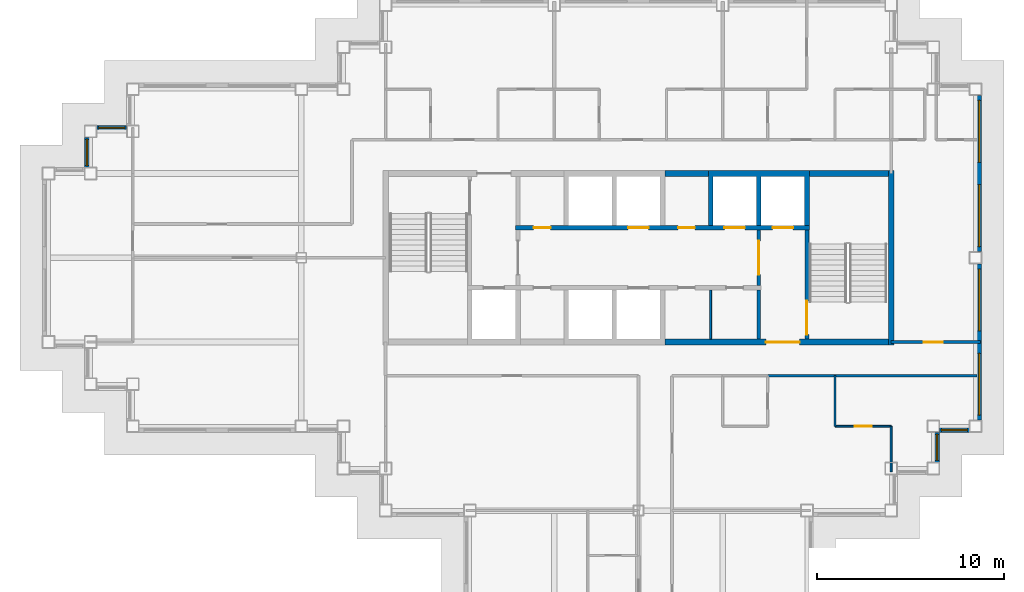
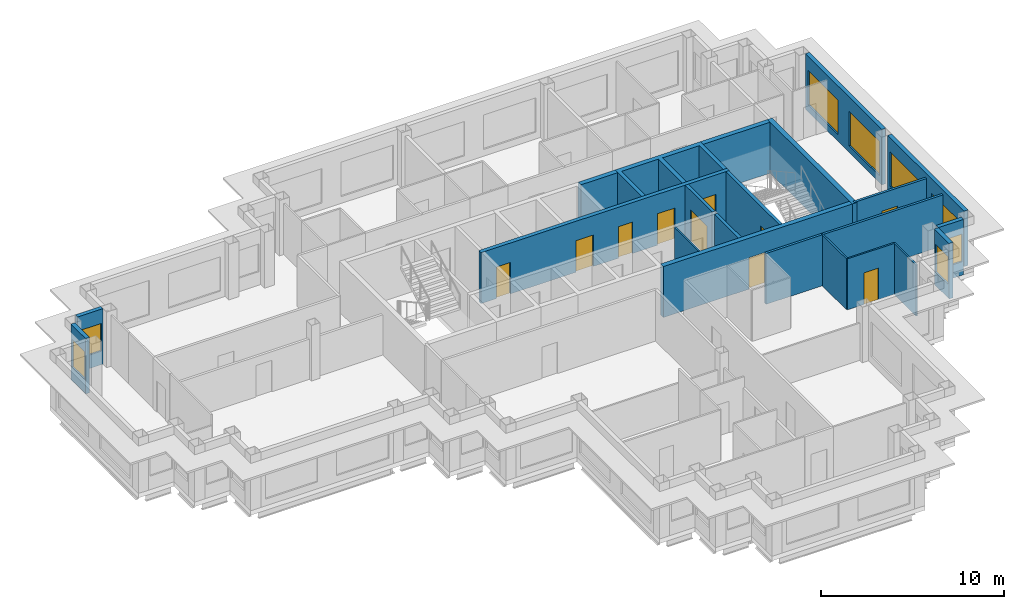
# One storey, part 5 of 11: 21 walls, 10 doors, 8 windows, 18 openings.
"""IFC4 building model written with IfcOpenShell, lengths in metres."""

from ifc_helpers import new_model, si_unit, direction, frame, frame_2d, origin, place, context, subcontext, project, spatial, polyline, rectangle, outline, extrude, material, layer, layer_set, type_object, element, fill, save


model = new_model("IFC4")

# Units and contexts
model_context = context("Model", 3, precision=1e-05, world=origin(), true_north=direction((0.0, 1.0)))
body_context = subcontext(model_context, "Body", "Model", "MODEL_VIEW")
ifc_project = project(units=[si_unit("LENGTHUNIT", "METRE"), si_unit("AREAUNIT", "SQUARE_METRE"), si_unit("VOLUMEUNIT", "CUBIC_METRE"), si_unit("PLANEANGLEUNIT", "RADIAN"), si_unit("MASSUNIT", "GRAM", prefix="KILO")], contexts=[model_context])

# Site, building, storey
site_placement = place(None, origin())
site = spatial("IfcSite", under=ifc_project, at=site_placement, CompositionType="ELEMENT")
building_placement = place(site_placement, origin())
building = spatial("IfcBuilding", under=site, at=building_placement, Name="Caravel Reach Hotel and Residences", CompositionType="ELEMENT")
storey_placement = place(building_placement, frame((0.0, 0.0, 225.699951171875)))
storey = spatial("IfcBuildingStorey", under=building, at=storey_placement, Name="L57", CompositionType="ELEMENT", Elevation=225.699951171875)

# Wall
ifc_material_1 = material(Name="Autoclaved aerated block wall")
ifc_layer_1 = layer(ifc_material_1, 0.199951171875)
ifc_layer_set_1 = layer_set([ifc_layer_1], Name="Compartment wall 200 mm EI 120")
wall_type_1 = type_object("IfcWallType", Name="Compartment wall 200 mm EI 120", PredefinedType="PARTITIONING", material=ifc_layer_set_1)
wall_1_placement = place(storey_placement, frame((37.928466796875, 22.64990234375, 0.0), z_axis=(0.0, 0.0, 1.0), x_axis=(0.0, 1.0, 0.0)))
element("IfcWall", 1, at=wall_1_placement, inside=storey, type_object=wall_type_1, Name="L57 store partition", PredefinedType="PARTITIONING", context=body_context, shape_type="SweptSolid", body=[
    extrude(rectangle(XDim=2.625, YDim=0.199951171875, at=frame_2d((1.3125, 0.0))), origin(), (0.0, 0.0, 1.0), 3.400146484375),
])

# Wall, opening, door
ifc_material_2 = material(Name="Concrete C60", Category="concrete")
ifc_layer_2 = layer(ifc_material_2, 0.300048828125)
ifc_layer_set_2 = layer_set([ifc_layer_2], Name="Core wall 300 mm EI 120")
wall_type_2 = type_object("IfcWallType", Name="Core wall 300 mm EI 120", PredefinedType="SHEAR", material=ifc_layer_set_2)
wall_2_placement = place(storey_placement, frame((32.91064453125, 22.5, 0.0), z_axis=(0.0, 0.0, 1.0), x_axis=(1.0, 0.0, 0.0)))
wall_2 = element("IfcWall", 2, at=wall_2_placement, inside=storey, type_object=wall_type_2, Name="L57 core wall S3", PredefinedType="SHEAR", context=body_context, shape_type="SweptSolid", body=[
    extrude(rectangle(XDim=11.939453125, YDim=0.300048828125, at=frame_2d((5.9697265625, 0.0))), origin(), (0.0, 0.0, 1.0), 3.400146484375),
])
opening_1_placement = place(wall_2_placement, frame((5.403564453125, 0.0, 0.0)))
opening_1 = element("IfcOpeningElement", 3, at=opening_1_placement, cuts=wall_2, Name="Opening D57-016", PredefinedType="OPENING", context=body_context, shape_type="SweptSolid", body=[
    extrude(rectangle(XDim=1.800048828125, YDim=2.10009765625, at=frame_2d((0.89990234375, 1.050048828125))), frame((0.0, 0.159912109375, 0.0), z_axis=(0.0, -1.0, 0.0), x_axis=(1.0, 0.0, 0.0)), (0.0, 0.0, 1.0), 0.320068359375),
])
ifc_material_3 = material(Name="Steel fire door leaf", Category="steel")
door_type_1 = type_object("IfcDoorType", Name="Fire lobby door pair 1800 x 2100 EI 90", OperationType="DOUBLE_DOOR_SINGLE_SWING", PredefinedType="DOOR", material=ifc_material_3)
door_1_placement = place(opening_1_placement, origin())
door_1 = element("IfcDoor", 4, at=door_1_placement, inside=storey, type_object=door_type_1, Name="lobby S door pair to corridor", OperationType="DOUBLE_DOOR_SINGLE_SWING", OverallHeight=2.10009765625, OverallWidth=1.800048828125, PredefinedType="DOOR", context=body_context, shape_type="SweptSolid", body=[
    extrude(rectangle(XDim=1.800048828125, YDim=2.10009765625, at=frame_2d((0.89990234375, 1.050048828125))), frame((0.0, 0.02490234375, 0.0), z_axis=(0.0, -1.0, 0.0), x_axis=(1.0, 0.0, 0.0)), (0.0, 0.0, 1.0), 0.050048828125),
])
fill(opening_1, door_1)

# Walls
wall_3_placement = place(storey_placement, frame((32.91064453125, 31.5, 0.0), z_axis=(0.0, 0.0, 1.0), x_axis=(1.0, 0.0, 0.0)))
element("IfcWall", 5, at=wall_3_placement, inside=storey, type_object=wall_type_2, Name="L57 core wall N2", PredefinedType="SHEAR", context=body_context, shape_type="SweptSolid", body=[
    extrude(rectangle(XDim=2.321533203125, YDim=0.300048828125, at=frame_2d((1.16064453125, 0.0))), origin(), (0.0, 0.0, 1.0), 3.400146484375),
])
wall_4_placement = place(storey_placement, frame((40.625, 31.5, 0.0), z_axis=(0.0, 0.0, 1.0), x_axis=(1.0, 0.0, 0.0)))
element("IfcWall", 6, at=wall_4_placement, inside=storey, type_object=wall_type_2, Name="L57 core wall N3", PredefinedType="SHEAR", context=body_context, shape_type="SweptSolid", body=[
    extrude(rectangle(XDim=4.22509765625, YDim=0.300048828125, at=frame_2d((2.112548828125, 0.0))), origin(), (0.0, 0.0, 1.0), 3.400146484375),
])
wall_5_placement = place(storey_placement, frame((45.0, 22.35009765625, 0.0), z_axis=(0.0, 0.0, 1.0), x_axis=(0.0, 1.0, 0.0)))
element("IfcWall", 7, at=wall_5_placement, inside=storey, type_object=wall_type_2, Name="L57 core wall E", PredefinedType="SHEAR", context=body_context, shape_type="SweptSolid", body=[
    extrude(rectangle(XDim=9.2998046875, YDim=0.300048828125, at=frame_2d((4.64990234375, 0.0))), origin(), (0.0, 0.0, 1.0), 3.400146484375),
])
ifc_material_4 = material(Name="Gypsum board on steel stud, fire-rated", Category="steel")
ifc_layer_3 = layer(ifc_material_4, 0.14990234375)
ifc_layer_set_3 = layer_set([ifc_layer_3], Name="Corridor wall 150 mm EI 60")
wall_type_3 = type_object("IfcWallType", Name="Corridor wall 150 mm EI 60", PredefinedType="PARTITIONING", material=ifc_layer_set_3)
wall_6_placement = place(storey_placement, frame((38.39990234375, 20.699951171875, 0.0), z_axis=(0.0, 0.0, 1.0), x_axis=(1.0, 0.0, 0.0)))
element("IfcWall", 8, at=wall_6_placement, inside=storey, type_object=wall_type_3, Name="L57 wall w002", PredefinedType="PARTITIONING", context=body_context, shape_type="SweptSolid", body=[
    extrude(rectangle(XDim=11.175048828125, YDim=0.14990234375, at=frame_2d((5.58740234375, 0.0))), origin(), (0.0, 0.0, 1.0), 3.400146484375),
])

# Wall, opening, door
wall_7_placement = place(storey_placement, frame((45.0, 22.5, 0.0), z_axis=(0.0, 0.0, 1.0), x_axis=(1.0, 0.0, 0.0)))
wall_7 = element("IfcWall", 9, at=wall_7_placement, inside=storey, type_object=wall_type_3, Name="L57 wall w006", PredefinedType="PARTITIONING", context=body_context, shape_type="SweptSolid", body=[
    extrude(rectangle(XDim=4.764892578125, YDim=0.14990234375, at=frame_2d((2.38232421875, 0.0))), origin(), (0.0, 0.0, 1.0), 3.400146484375),
])
opening_2_placement = place(wall_7_placement, frame((1.75, 0.0, 0.0)))
opening_2 = element("IfcOpeningElement", 10, at=opening_2_placement, cuts=wall_7, Name="Opening D57-039", PredefinedType="OPENING", context=body_context, shape_type="SweptSolid", body=[
    extrude(rectangle(XDim=1.0, YDim=2.199951171875, at=frame_2d((0.5, 1.10009765625))), frame((0.0, 0.0849609375, 0.0), z_axis=(0.0, -1.0, 0.0), x_axis=(1.0, 0.0, 0.0)), (0.0, 0.0, 1.0), 0.169921875),
])
ifc_material_5 = material(Name="Steel fire door leaf", Category="steel")
door_type_2 = type_object("IfcDoorType", Name="Flat entrance door 1000 x 2200 EI 60", OperationType="SINGLE_SWING_LEFT", PredefinedType="DOOR", material=ifc_material_5)
door_2_placement = place(opening_2_placement, origin())
door_2 = element("IfcDoor", 11, at=door_2_placement, inside=storey, type_object=door_type_2, Name="door D57-039", OperationType="SINGLE_SWING_RIGHT", OverallHeight=2.199951171875, OverallWidth=1.0, PredefinedType="DOOR", context=body_context, shape_type="SweptSolid", body=[
    extrude(rectangle(XDim=1.0, YDim=2.199951171875, at=frame_2d((0.5, 1.10009765625))), frame((0.0, 0.02490234375, 0.0), z_axis=(0.0, -1.0, 0.0), x_axis=(1.0, 0.0, 0.0)), (0.0, 0.0, 1.0), 0.050048828125),
])
fill(opening_2, door_2)

# Wall, opening, window
ifc_material_6 = material(Name="Insulated rainscreen wall, aluminium cladding", Category="aluminium")
ifc_layer_4 = layer(ifc_material_6, 0.25)
ifc_layer_set_4 = layer_set([ifc_layer_4], Name="EW1 Tower rainscreen wall")
wall_type_4 = type_object("IfcWallType", Name="EW1 Tower rainscreen wall", PredefinedType="SOLIDWALL", material=ifc_layer_set_4)
wall_8_placement = place(storey_placement, frame((47.449951171875, 16.074951171875, 0.0), z_axis=(0.0, 0.0, 1.0), x_axis=(0.0, 1.0, 0.0)))
wall_8 = element("IfcWall", 12, at=wall_8_placement, inside=storey, type_object=wall_type_4, Name="External wall L57 E4.1", PredefinedType="SOLIDWALL", context=body_context, shape_type="SweptSolid", body=[
    extrude(rectangle(XDim=1.60009765625, YDim=0.25, at=frame_2d((0.800048828125, 0.0))), origin(), (0.0, 0.0, 1.0), 3.699951171875),
])
opening_3_placement = place(wall_8_placement, frame((0.10009765625, 0.0, 0.89990234375)))
opening_3 = element("IfcOpeningElement", 13, at=opening_3_placement, cuts=wall_8, Name="Opening WN22", PredefinedType="OPENING", context=body_context, shape_type="SweptSolid", body=[
    extrude(rectangle(XDim=1.39990234375, YDim=1.85009765625, at=frame_2d((0.699951171875, 0.925048828125))), frame((0.0, 0.135009765625, 0.0), z_axis=(0.0, -1.0, 0.0), x_axis=(1.0, 0.0, 0.0)), (0.0, 0.0, 1.0), 0.27001953125),
])
ifc_material_7 = material(Name="Dark low-e glazing in black aluminium frame", Category="aluminium")
window_type_1 = type_object("IfcWindowType", Name="Residence bedroom window 1400 x 1850", PartitioningType="SINGLE_PANEL", PredefinedType="WINDOW", material=ifc_material_7)
window_1_placement = place(opening_3_placement, origin())
window_1 = element("IfcWindow", 14, at=window_1_placement, inside=storey, type_object=window_type_1, Name="Window L57 E4.1.1", OverallHeight=1.85009765625, OverallWidth=1.39990234375, PartitioningType="SINGLE_PANEL", PredefinedType="WINDOW", context=body_context, shape_type="SweptSolid", body=[
    extrude(rectangle(XDim=1.39990234375, YDim=1.85009765625, at=frame_2d((0.699951171875, 0.925048828125))), frame((0.0, 0.030029296875, 0.0), z_axis=(0.0, -1.0, 0.0), x_axis=(1.0, 0.0, 0.0)), (0.0, 0.0, 1.0), 0.06005859375),
])
fill(opening_3, window_1)

wall_9_placement = place(storey_placement, frame((47.574951171875, 17.800048828125, 0.0), z_axis=(0.0, 0.0, 1.0), x_axis=(1.0, 0.0, 0.0)))
wall_9 = element("IfcWall", 15, at=wall_9_placement, inside=storey, type_object=wall_type_4, Name="External wall L57 S5.1", PredefinedType="SOLIDWALL", context=body_context, shape_type="SweptSolid", body=[
    extrude(rectangle(XDim=1.60009765625, YDim=0.25, at=frame_2d((0.800048828125, 0.0))), origin(), (0.0, 0.0, 1.0), 3.699951171875),
])
opening_4_placement = place(wall_9_placement, frame((0.10009765625, 0.0, 0.89990234375)))
opening_4 = element("IfcOpeningElement", 16, at=opening_4_placement, cuts=wall_9, Name="Opening WN22", PredefinedType="OPENING", context=body_context, shape_type="SweptSolid", body=[
    extrude(rectangle(XDim=1.39990234375, YDim=1.85009765625, at=frame_2d((0.699951171875, 0.925048828125))), frame((0.0, 0.135009765625, 0.0), z_axis=(0.0, -1.0, 0.0), x_axis=(1.0, 0.0, 0.0)), (0.0, 0.0, 1.0), 0.27001953125),
])
window_2_placement = place(opening_4_placement, origin())
window_2 = element("IfcWindow", 17, at=window_2_placement, inside=storey, type_object=window_type_1, Name="Window L57 S5.1.1", OverallHeight=1.85009765625, OverallWidth=1.39990234375, PartitioningType="SINGLE_PANEL", PredefinedType="WINDOW", context=body_context, shape_type="SweptSolid", body=[
    extrude(rectangle(XDim=1.39990234375, YDim=1.85009765625, at=frame_2d((0.699951171875, 0.925048828125))), frame((0.0, 0.030029296875, 0.0), z_axis=(0.0, -1.0, 0.0), x_axis=(1.0, 0.0, 0.0)), (0.0, 0.0, 1.0), 0.06005859375),
])
fill(opening_4, window_2)

# Wall, openings, windows
wall_10_placement = place(storey_placement, frame((49.699951171875, 18.324951171875, 0.0), z_axis=(0.0, 0.0, 1.0), x_axis=(0.0, 1.0, 0.0)))
wall_10 = element("IfcWall", 18, at=wall_10_placement, inside=storey, type_object=wall_type_4, Name="External wall L57 E6.1", PredefinedType="SOLIDWALL", context=body_context, shape_type="SweptSolid", body=[
    extrude(rectangle(XDim=8.35009765625, YDim=0.25, at=frame_2d((4.175048828125, 0.0))), origin(), (0.0, 0.0, 1.0), 3.699951171875),
])
opening_5_placement = place(wall_10_placement, frame((0.27490234375, 0.0, 0.449951171875)))
opening_5 = element("IfcOpeningElement", 19, at=opening_5_placement, cuts=wall_10, Name="Opening WN15", PredefinedType="OPENING", context=body_context, shape_type="SweptSolid", body=[
    extrude(rectangle(XDim=3.300048828125, YDim=2.300048828125, at=frame_2d((1.64990234375, 1.14990234375))), frame((0.0, 0.135009765625, 0.0), z_axis=(0.0, -1.0, 0.0), x_axis=(1.0, 0.0, 0.0)), (0.0, 0.0, 1.0), 0.27001953125),
])
opening_6_placement = place(wall_10_placement, frame((4.77490234375, 0.0, 0.449951171875)))
opening_6 = element("IfcOpeningElement", 20, at=opening_6_placement, cuts=wall_10, Name="Opening WN15", PredefinedType="OPENING", context=body_context, shape_type="SweptSolid", body=[
    extrude(rectangle(XDim=3.300048828125, YDim=2.300048828125, at=frame_2d((1.64990234375, 1.14990234375))), frame((0.0, 0.135009765625, 0.0), z_axis=(0.0, -1.0, 0.0), x_axis=(1.0, 0.0, 0.0)), (0.0, 0.0, 1.0), 0.27001953125),
])
ifc_material_8 = material(Name="Dark low-e glazing in black aluminium frame", Category="aluminium")
window_type_2 = type_object("IfcWindowType", Name="Residence living window 3300 x 2300", PartitioningType="SINGLE_PANEL", PredefinedType="WINDOW", material=ifc_material_8)
window_3_placement = place(opening_5_placement, origin())
window_3 = element("IfcWindow", 21, at=window_3_placement, inside=storey, type_object=window_type_2, Name="Window L57 E6.1.1", OverallHeight=2.300048828125, OverallWidth=3.300048828125, PartitioningType="SINGLE_PANEL", PredefinedType="WINDOW", context=body_context, shape_type="SweptSolid", body=[
    extrude(rectangle(XDim=3.300048828125, YDim=2.300048828125, at=frame_2d((1.64990234375, 1.14990234375))), frame((0.0, 0.030029296875, 0.0), z_axis=(0.0, -1.0, 0.0), x_axis=(1.0, 0.0, 0.0)), (0.0, 0.0, 1.0), 0.06005859375),
])
fill(opening_5, window_3)
window_4_placement = place(opening_6_placement, origin())
window_4 = element("IfcWindow", 22, at=window_4_placement, inside=storey, type_object=window_type_2, Name="Window L57 E6.1.2", OverallHeight=2.300048828125, OverallWidth=3.300048828125, PartitioningType="SINGLE_PANEL", PredefinedType="WINDOW", context=body_context, shape_type="SweptSolid", body=[
    extrude(rectangle(XDim=3.300048828125, YDim=2.300048828125, at=frame_2d((1.64990234375, 1.14990234375))), frame((0.0, 0.030029296875, 0.0), z_axis=(0.0, -1.0, 0.0), x_axis=(1.0, 0.0, 0.0)), (0.0, 0.0, 1.0), 0.06005859375),
])
fill(opening_6, window_4)

wall_11_placement = place(storey_placement, frame((49.699951171875, 27.324951171875, 0.0), z_axis=(0.0, 0.0, 1.0), x_axis=(0.0, 1.0, 0.0)))
wall_11 = element("IfcWall", 23, at=wall_11_placement, inside=storey, type_object=wall_type_4, Name="External wall L57 E6.2", PredefinedType="SOLIDWALL", context=body_context, shape_type="SweptSolid", body=[
    extrude(rectangle(XDim=8.35009765625, YDim=0.25, at=frame_2d((4.175048828125, 0.0))), origin(), (0.0, 0.0, 1.0), 3.699951171875),
])
opening_7_placement = place(wall_11_placement, frame((0.27490234375, 0.0, 0.449951171875)))
opening_7 = element("IfcOpeningElement", 24, at=opening_7_placement, cuts=wall_11, Name="Opening WN15", PredefinedType="OPENING", context=body_context, shape_type="SweptSolid", body=[
    extrude(rectangle(XDim=3.300048828125, YDim=2.300048828125, at=frame_2d((1.64990234375, 1.14990234375))), frame((0.0, 0.135009765625, 0.0), z_axis=(0.0, -1.0, 0.0), x_axis=(1.0, 0.0, 0.0)), (0.0, 0.0, 1.0), 0.27001953125),
])
opening_8_placement = place(wall_11_placement, frame((4.77490234375, 0.0, 0.449951171875)))
opening_8 = element("IfcOpeningElement", 25, at=opening_8_placement, cuts=wall_11, Name="Opening WN15", PredefinedType="OPENING", context=body_context, shape_type="SweptSolid", body=[
    extrude(rectangle(XDim=3.300048828125, YDim=2.300048828125, at=frame_2d((1.64990234375, 1.14990234375))), frame((0.0, 0.135009765625, 0.0), z_axis=(0.0, -1.0, 0.0), x_axis=(1.0, 0.0, 0.0)), (0.0, 0.0, 1.0), 0.27001953125),
])
window_5_placement = place(opening_7_placement, origin())
window_5 = element("IfcWindow", 26, at=window_5_placement, inside=storey, type_object=window_type_2, Name="Window L57 E6.2.1", OverallHeight=2.300048828125, OverallWidth=3.300048828125, PartitioningType="SINGLE_PANEL", PredefinedType="WINDOW", context=body_context, shape_type="SweptSolid", body=[
    extrude(rectangle(XDim=3.300048828125, YDim=2.300048828125, at=frame_2d((1.64990234375, 1.14990234375))), frame((0.0, 0.030029296875, 0.0), z_axis=(0.0, -1.0, 0.0), x_axis=(1.0, 0.0, 0.0)), (0.0, 0.0, 1.0), 0.06005859375),
])
fill(opening_7, window_5)
window_6_placement = place(opening_8_placement, origin())
window_6 = element("IfcWindow", 27, at=window_6_placement, inside=storey, type_object=window_type_2, Name="Window L57 E6.2.2", OverallHeight=2.300048828125, OverallWidth=3.300048828125, PartitioningType="SINGLE_PANEL", PredefinedType="WINDOW", context=body_context, shape_type="SweptSolid", body=[
    extrude(rectangle(XDim=3.300048828125, YDim=2.300048828125, at=frame_2d((1.64990234375, 1.14990234375))), frame((0.0, 0.030029296875, 0.0), z_axis=(0.0, -1.0, 0.0), x_axis=(1.0, 0.0, 0.0)), (0.0, 0.0, 1.0), 0.06005859375),
])
fill(opening_8, window_6)

# Wall, opening, window
wall_12_placement = place(storey_placement, frame((4.175048828125, 33.949951171875, 0.0), z_axis=(0.0, 0.0, 1.0), x_axis=(-1.0, 0.0, 0.0)))
wall_12 = element("IfcWall", 28, at=wall_12_placement, inside=storey, type_object=wall_type_4, Name="External wall L57 N17.1", PredefinedType="SOLIDWALL", context=body_context, shape_type="SweptSolid", body=[
    extrude(rectangle(XDim=1.60009765625, YDim=0.25, at=frame_2d((0.800048828125, 0.0))), origin(), (0.0, 0.0, 1.0), 3.699951171875),
])
opening_9_placement = place(wall_12_placement, frame((0.10009765625, 0.0, 0.89990234375)))
opening_9 = element("IfcOpeningElement", 29, at=opening_9_placement, cuts=wall_12, Name="Opening WN22", PredefinedType="OPENING", context=body_context, shape_type="SweptSolid", body=[
    extrude(rectangle(XDim=1.39990234375, YDim=1.85009765625, at=frame_2d((0.699951171875, 0.925048828125))), frame((0.0, 0.135009765625, 0.0), z_axis=(0.0, -1.0, 0.0), x_axis=(1.0, 0.0, 0.0)), (0.0, 0.0, 1.0), 0.27001953125),
])
window_7_placement = place(opening_9_placement, origin())
window_7 = element("IfcWindow", 30, at=window_7_placement, inside=storey, type_object=window_type_1, Name="Window L57 N17.1.1", OverallHeight=1.85009765625, OverallWidth=1.39990234375, PartitioningType="SINGLE_PANEL", PredefinedType="WINDOW", context=body_context, shape_type="SweptSolid", body=[
    extrude(rectangle(XDim=1.39990234375, YDim=1.85009765625, at=frame_2d((0.699951171875, 0.925048828125))), frame((0.0, 0.030029296875, 0.0), z_axis=(0.0, -1.0, 0.0), x_axis=(1.0, 0.0, 0.0)), (0.0, 0.0, 1.0), 0.06005859375),
])
fill(opening_9, window_7)

wall_13_placement = place(storey_placement, frame((2.050048828125, 33.425048828125, 0.0), z_axis=(0.0, 0.0, 1.0), x_axis=(0.0, -1.0, 0.0)))
wall_13 = element("IfcWall", 31, at=wall_13_placement, inside=storey, type_object=wall_type_4, Name="External wall L57 W18.1", PredefinedType="SOLIDWALL", context=body_context, shape_type="SweptSolid", body=[
    extrude(rectangle(XDim=1.60009765625, YDim=0.25, at=frame_2d((0.800048828125, 0.0))), origin(), (0.0, 0.0, 1.0), 3.699951171875),
])
opening_10_placement = place(wall_13_placement, frame((0.10009765625, 0.0, 0.89990234375)))
opening_10 = element("IfcOpeningElement", 32, at=opening_10_placement, cuts=wall_13, Name="Opening WN22", PredefinedType="OPENING", context=body_context, shape_type="SweptSolid", body=[
    extrude(rectangle(XDim=1.39990234375, YDim=1.85009765625, at=frame_2d((0.699951171875, 0.925048828125))), frame((0.0, 0.135009765625, 0.0), z_axis=(0.0, -1.0, 0.0), x_axis=(1.0, 0.0, 0.0)), (0.0, 0.0, 1.0), 0.27001953125),
])
window_8_placement = place(opening_10_placement, origin())
window_8 = element("IfcWindow", 33, at=window_8_placement, inside=storey, type_object=window_type_1, Name="Window L57 W18.1.1", OverallHeight=1.85009765625, OverallWidth=1.39990234375, PartitioningType="SINGLE_PANEL", PredefinedType="WINDOW", context=body_context, shape_type="SweptSolid", body=[
    extrude(rectangle(XDim=1.39990234375, YDim=1.85009765625, at=frame_2d((0.699951171875, 0.925048828125))), frame((0.0, 0.030029296875, 0.0), z_axis=(0.0, -1.0, 0.0), x_axis=(1.0, 0.0, 0.0)), (0.0, 0.0, 1.0), 0.06005859375),
])
fill(opening_10, window_8)

# Wall, opening, door
ifc_material_9 = material(Name="Autoclaved aerated block wall")
ifc_layer_5 = layer(ifc_material_9, 0.199951171875)
ifc_layer_set_5 = layer_set([ifc_layer_5], Name="Fire lobby wall 200 mm EI 120")
wall_type_5 = type_object("IfcWallType", Name="Fire lobby wall 200 mm EI 120", PredefinedType="PARTITIONING", material=ifc_layer_set_5)
wall_14_placement = place(storey_placement, frame((37.928466796875, 25.52490234375, 0.0), z_axis=(0.0, 0.0, 1.0), x_axis=(0.0, 1.0, 0.0)))
wall_14 = element("IfcWall", 34, at=wall_14_placement, inside=storey, type_object=wall_type_5, Name="L57 lobby E wall", PredefinedType="PARTITIONING", context=body_context, shape_type="SweptSolid", body=[
    extrude(rectangle(XDim=2.9501953125, YDim=0.199951171875, at=frame_2d((1.47509765625, 0.0))), origin(), (0.0, 0.0, 1.0), 3.400146484375),
])
opening_11_placement = place(wall_14_placement, frame((0.574951171875, 0.0, 0.0)))
opening_11 = element("IfcOpeningElement", 35, at=opening_11_placement, cuts=wall_14, Name="Opening D57-014", PredefinedType="OPENING", context=body_context, shape_type="SweptSolid", body=[
    extrude(rectangle(XDim=1.800048828125, YDim=2.10009765625, at=frame_2d((0.89990234375, 1.050048828125))), frame((0.0, 0.10986328125, 0.0), z_axis=(0.0, -1.0, 0.0), x_axis=(1.0, 0.0, 0.0)), (0.0, 0.0, 1.0), 0.219970703125),
])
door_3_placement = place(opening_11_placement, origin())
door_3 = element("IfcDoor", 36, at=door_3_placement, inside=storey, type_object=door_type_1, Name="lobby E door pair", OperationType="DOUBLE_DOOR_SINGLE_SWING", OverallHeight=2.10009765625, OverallWidth=1.800048828125, PredefinedType="DOOR", context=body_context, shape_type="SweptSolid", body=[
    extrude(rectangle(XDim=1.800048828125, YDim=2.10009765625, at=frame_2d((0.89990234375, 1.050048828125))), frame((0.0, 0.02490234375, 0.0), z_axis=(0.0, -1.0, 0.0), x_axis=(1.0, 0.0, 0.0)), (0.0, 0.0, 1.0), 0.050048828125),
])
fill(opening_11, door_3)

# Wall
ifc_material_10 = material(Name="Gypsum board on steel stud", Category="steel")
ifc_layer_6 = layer(ifc_material_10, 0.10009765625)
ifc_layer_set_6 = layer_set([ifc_layer_6], Name="Partition 100 mm")
wall_type_6 = type_object("IfcWallType", Name="Partition 100 mm", PredefinedType="PARTITIONING", material=ifc_layer_set_6)
wall_15_placement = place(storey_placement, frame((35.357177734375, 22.64990234375, 0.0), z_axis=(0.0, 0.0, 1.0), x_axis=(0.0, 1.0, 0.0)))
element("IfcWall", 37, at=wall_15_placement, inside=storey, type_object=wall_type_6, Name="L57 store partition", PredefinedType="PARTITIONING", context=body_context, shape_type="SweptSolid", body=[
    extrude(rectangle(XDim=2.625, YDim=0.10009765625, at=frame_2d((1.3125, 0.0))), origin(), (0.0, 0.0, 1.0), 3.400146484375),
])

# Wall, opening, door
wall_16_placement = place(storey_placement, frame((42.0, 18.0, 0.0), z_axis=(0.0, 0.0, 1.0), x_axis=(1.0, 0.0, 0.0)))
wall_16 = element("IfcWall", 38, at=wall_16_placement, inside=storey, type_object=wall_type_6, Name="L57 wall w030", PredefinedType="PARTITIONING", context=body_context, shape_type="SweptSolid", body=[
    extrude(rectangle(XDim=3.0, YDim=0.10009765625, at=frame_2d((1.5, 0.0))), origin(), (0.0, 0.0, 1.0), 3.400146484375),
])
opening_12_placement = place(wall_16_placement, frame((1.050048828125, 0.0, 0.0)))
opening_12 = element("IfcOpeningElement", 39, at=opening_12_placement, cuts=wall_16, Name="Opening D57-032", PredefinedType="OPENING", context=body_context, shape_type="SweptSolid", body=[
    extrude(rectangle(XDim=0.89990234375, YDim=2.10009765625, at=frame_2d((0.449951171875, 1.050048828125))), frame((0.0, 0.06005859375, 0.0), z_axis=(0.0, -1.0, 0.0), x_axis=(1.0, 0.0, 0.0)), (0.0, 0.0, 1.0), 0.1201171875),
])
ifc_material_11 = material(Name="Timber and steel door leaf", Category="steel")
door_type_3 = type_object("IfcDoorType", Name="Door 900 x 2100 timber", OperationType="SINGLE_SWING_LEFT", PredefinedType="DOOR", material=ifc_material_11)
door_4_placement = place(opening_12_placement, origin())
door_4 = element("IfcDoor", 40, at=door_4_placement, inside=storey, type_object=door_type_3, Name="door D57-032", OperationType="SINGLE_SWING_LEFT", OverallHeight=2.10009765625, OverallWidth=0.89990234375, PredefinedType="DOOR", context=body_context, shape_type="SweptSolid", body=[
    extrude(rectangle(XDim=0.89990234375, YDim=2.10009765625, at=frame_2d((0.449951171875, 1.050048828125))), frame((0.0, 0.02490234375, 0.0), z_axis=(0.0, -1.0, 0.0), x_axis=(1.0, 0.0, 0.0)), (0.0, 0.0, 1.0), 0.050048828125),
])
fill(opening_12, door_4)

# Walls
wall_17_placement = place(storey_placement, frame((42.0, 18.0, 0.0), z_axis=(0.0, 0.0, 1.0), x_axis=(0.0, 1.0, 0.0)))
element("IfcWall", 41, at=wall_17_placement, inside=storey, type_object=wall_type_6, Name="L57 wall w055", PredefinedType="PARTITIONING", context=body_context, shape_type="SweptSolid", body=[
    extrude(rectangle(XDim=2.699951171875, YDim=0.10009765625, at=frame_2d((1.35009765625, 0.0))), origin(), (0.0, 0.0, 1.0), 3.400146484375),
])
wall_18_placement = place(storey_placement, frame((45.0, 15.56005859375, 0.0), z_axis=(0.0, 0.0, 1.0), x_axis=(0.0, 1.0, 0.0)))
element("IfcWall", 42, at=wall_18_placement, inside=storey, type_object=wall_type_6, Name="L57 wall w056", PredefinedType="PARTITIONING", context=body_context, shape_type="SweptSolid", body=[
    extrude(rectangle(XDim=2.43994140625, YDim=0.10009765625, at=frame_2d((1.219970703125, 0.0))), origin(), (0.0, 0.0, 1.0), 3.400146484375),
])
ifc_material_12 = material(Name="Concrete C60", Category="concrete")
ifc_layer_7 = layer(ifc_material_12, 0.25)
ifc_layer_set_7 = layer_set([ifc_layer_7], Name="Shaft wall 250 mm EI 120")
wall_type_7 = type_object("IfcWallType", Name="Shaft wall 250 mm EI 120", PredefinedType="SHEAR", material=ifc_layer_set_7)
wall_19_placement = place(storey_placement, origin())
element("IfcWall", 43, at=wall_19_placement, inside=storey, type_object=wall_type_7, Name="L57 lift shaft wall N2", PredefinedType="SHEAR", context=body_context, shape_type="SweptSolid", body=[
    extrude(outline(polyline([(35.232177734375, 28.72509765625), (35.482177734375, 28.72509765625), (35.482177734375, 31.35009765625), (37.803466796875, 31.35009765625), (37.803466796875, 28.72509765625), (38.053466796875, 28.72509765625), (38.053466796875, 31.35009765625), (40.375, 31.35009765625), (40.375, 28.72509765625), (40.625, 28.72509765625), (40.625, 31.64990234375), (35.232177734375, 31.64990234375), (35.232177734375, 28.72509765625)])), origin(), (0.0, 0.0, 1.0), 3.400146484375),
])

# Wall, openings, doors
wall_20_placement = place(storey_placement, frame((24.946533203125, 28.60009765625, 0.0), z_axis=(0.0, 0.0, 1.0), x_axis=(1.0, 0.0, 0.0)))
wall_20 = element("IfcWall", 44, at=wall_20_placement, inside=storey, type_object=wall_type_7, Name="L57 lobby wall N1", PredefinedType="SHEAR", context=body_context, shape_type="SweptSolid", body=[
    extrude(rectangle(XDim=15.678466796875, YDim=0.25, at=frame_2d((7.83935546875, 0.0))), origin(), (0.0, 0.0, 1.0), 3.400146484375),
])
opening_13_placement = place(wall_20_placement, frame((6.003662109375, 0.0, 0.0)))
opening_13 = element("IfcOpeningElement", 45, at=opening_13_placement, cuts=wall_20, Name="Opening D57-002", PredefinedType="OPENING", context=body_context, shape_type="SweptSolid", body=[
    extrude(rectangle(XDim=1.10009765625, YDim=2.10009765625, at=frame_2d((0.550048828125, 1.050048828125))), frame((0.0, 0.135009765625, 0.0), z_axis=(0.0, -1.0, 0.0), x_axis=(1.0, 0.0, 0.0)), (0.0, 0.0, 1.0), 0.27001953125),
])
opening_14_placement = place(wall_20_placement, frame((11.146484375, 0.0, 0.0)))
opening_14 = element("IfcOpeningElement", 46, at=opening_14_placement, cuts=wall_20, Name="Opening D57-003", PredefinedType="OPENING", context=body_context, shape_type="SweptSolid", body=[
    extrude(rectangle(XDim=1.10009765625, YDim=2.10009765625, at=frame_2d((0.550048828125, 1.050048828125))), frame((0.0, 0.135009765625, 0.0), z_axis=(0.0, -1.0, 0.0), x_axis=(1.0, 0.0, 0.0)), (0.0, 0.0, 1.0), 0.27001953125),
])
opening_15_placement = place(wall_20_placement, frame((13.718017578125, 0.0, 0.0)))
opening_15 = element("IfcOpeningElement", 47, at=opening_15_placement, cuts=wall_20, Name="Opening D57-005", PredefinedType="OPENING", context=body_context, shape_type="SweptSolid", body=[
    extrude(rectangle(XDim=1.10009765625, YDim=2.10009765625, at=frame_2d((0.550048828125, 1.050048828125))), frame((0.0, 0.135009765625, 0.0), z_axis=(0.0, -1.0, 0.0), x_axis=(1.0, 0.0, 0.0)), (0.0, 0.0, 1.0), 0.27001953125),
])
opening_16_placement = place(wall_20_placement, frame((0.960693359375, 0.0, 0.0)))
opening_16 = element("IfcOpeningElement", 48, at=opening_16_placement, cuts=wall_20, Name="Opening D57-009", PredefinedType="OPENING", context=body_context, shape_type="SweptSolid", body=[
    extrude(rectangle(XDim=0.89990234375, YDim=2.10009765625, at=frame_2d((0.449951171875, 1.050048828125))), frame((0.0, 0.135009765625, 0.0), z_axis=(0.0, -1.0, 0.0), x_axis=(1.0, 0.0, 0.0)), (0.0, 0.0, 1.0), 0.27001953125),
])
opening_17_placement = place(wall_20_placement, frame((8.675048828125, 0.0, 0.0)))
opening_17 = element("IfcOpeningElement", 49, at=opening_17_placement, cuts=wall_20, Name="Opening D57-010", PredefinedType="OPENING", context=body_context, shape_type="SweptSolid", body=[
    extrude(rectangle(XDim=0.89990234375, YDim=2.10009765625, at=frame_2d((0.449951171875, 1.050048828125))), frame((0.0, 0.135009765625, 0.0), z_axis=(0.0, -1.0, 0.0), x_axis=(1.0, 0.0, 0.0)), (0.0, 0.0, 1.0), 0.27001953125),
])
ifc_material_13 = material(Name="Stainless steel landing door", Category="steel")
door_type_4 = type_object("IfcDoorType", Name="Landing door LD 1100 x 2100 sliding", OperationType="DOUBLE_DOOR_SLIDING", PredefinedType="DOOR", material=ifc_material_13)
door_5_placement = place(opening_13_placement, origin())
door_5 = element("IfcDoor", 50, at=door_5_placement, inside=storey, type_object=door_type_4, Name="MP2 landing door", OperationType="DOUBLE_DOOR_SLIDING", OverallHeight=2.10009765625, OverallWidth=1.10009765625, PredefinedType="DOOR", context=body_context, shape_type="SweptSolid", body=[
    extrude(rectangle(XDim=1.10009765625, YDim=2.10009765625, at=frame_2d((0.550048828125, 1.050048828125))), frame((0.0, 0.02490234375, 0.0), z_axis=(0.0, -1.0, 0.0), x_axis=(1.0, 0.0, 0.0)), (0.0, 0.0, 1.0), 0.050048828125),
])
fill(opening_13, door_5)
door_6_placement = place(opening_14_placement, origin())
door_6 = element("IfcDoor", 51, at=door_6_placement, inside=storey, type_object=door_type_4, Name="MP3 landing door", OperationType="DOUBLE_DOOR_SLIDING", OverallHeight=2.10009765625, OverallWidth=1.10009765625, PredefinedType="DOOR", context=body_context, shape_type="SweptSolid", body=[
    extrude(rectangle(XDim=1.10009765625, YDim=2.10009765625, at=frame_2d((0.550048828125, 1.050048828125))), frame((0.0, 0.02490234375, 0.0), z_axis=(0.0, -1.0, 0.0), x_axis=(1.0, 0.0, 0.0)), (0.0, 0.0, 1.0), 0.050048828125),
])
fill(opening_14, door_6)
door_7_placement = place(opening_15_placement, origin())
door_7 = element("IfcDoor", 52, at=door_7_placement, inside=storey, type_object=door_type_4, Name="FL2 landing door", OperationType="DOUBLE_DOOR_SLIDING", OverallHeight=2.10009765625, OverallWidth=1.10009765625, PredefinedType="DOOR", context=body_context, shape_type="SweptSolid", body=[
    extrude(rectangle(XDim=1.10009765625, YDim=2.10009765625, at=frame_2d((0.550048828125, 1.050048828125))), frame((0.0, 0.02490234375, 0.0), z_axis=(0.0, -1.0, 0.0), x_axis=(1.0, 0.0, 0.0)), (0.0, 0.0, 1.0), 0.050048828125),
])
fill(opening_15, door_7)
ifc_material_14 = material(Name="Steel fire door leaf", Category="steel")
door_type_5 = type_object("IfcDoorType", Name="Riser door 900 x 2100 EI 60", OperationType="SINGLE_SWING_LEFT", PredefinedType="DOOR", material=ifc_material_14)
door_8_placement = place(opening_16_placement, origin())
door_8 = element("IfcDoor", 53, at=door_8_placement, inside=storey, type_object=door_type_5, Name="Housekeeping store door", OperationType="SINGLE_SWING_LEFT", OverallHeight=2.10009765625, OverallWidth=0.89990234375, PredefinedType="DOOR", context=body_context, shape_type="SweptSolid", body=[
    extrude(rectangle(XDim=0.89990234375, YDim=2.10009765625, at=frame_2d((0.449951171875, 1.050048828125))), frame((0.0, 0.02490234375, 0.0), z_axis=(0.0, -1.0, 0.0), x_axis=(1.0, 0.0, 0.0)), (0.0, 0.0, 1.0), 0.050048828125),
])
fill(opening_16, door_8)
door_9_placement = place(opening_17_placement, origin())
door_9 = element("IfcDoor", 54, at=door_9_placement, inside=storey, type_object=door_type_5, Name="Mail store door", OperationType="SINGLE_SWING_LEFT", OverallHeight=2.10009765625, OverallWidth=0.89990234375, PredefinedType="DOOR", context=body_context, shape_type="SweptSolid", body=[
    extrude(rectangle(XDim=0.89990234375, YDim=2.10009765625, at=frame_2d((0.449951171875, 1.050048828125))), frame((0.0, 0.02490234375, 0.0), z_axis=(0.0, -1.0, 0.0), x_axis=(1.0, 0.0, 0.0)), (0.0, 0.0, 1.0), 0.050048828125),
])
fill(opening_17, door_9)

# Wall, opening, door
ifc_material_15 = material(Name="Concrete C60", Category="concrete")
ifc_layer_8 = layer(ifc_material_15, 0.199951171875)
ifc_layer_set_8 = layer_set([ifc_layer_8], Name="Stair enclosure wall 200 mm EI 120")
wall_type_8 = type_object("IfcWallType", Name="Stair enclosure wall 200 mm EI 120", PredefinedType="SHEAR", material=ifc_layer_set_8)
wall_21_placement = place(storey_placement, frame((40.5, 22.64990234375, 0.0), z_axis=(0.0, 0.0, 1.0), x_axis=(0.0, 1.0, 0.0)))
wall_21 = element("IfcWall", 55, at=wall_21_placement, inside=storey, type_object=wall_type_8, Name="L57 stair B wall", PredefinedType="SHEAR", context=body_context, shape_type="SweptSolid", body=[
    extrude(rectangle(XDim=5.8251953125, YDim=0.199951171875, at=frame_2d((2.91259765625, 0.0))), origin(), (0.0, 0.0, 1.0), 3.400146484375),
])
opening_18_placement = place(wall_21_placement, frame((0.25, 0.0, 0.0)))
opening_18 = element("IfcOpeningElement", 56, at=opening_18_placement, cuts=wall_21, Name="Opening D57-012", PredefinedType="OPENING", context=body_context, shape_type="SweptSolid", body=[
    extrude(rectangle(XDim=1.800048828125, YDim=2.10009765625, at=frame_2d((0.89990234375, 1.050048828125))), frame((0.0, 0.10986328125, 0.0), z_axis=(0.0, -1.0, 0.0), x_axis=(1.0, 0.0, 0.0)), (0.0, 0.0, 1.0), 0.219970703125),
])
ifc_material_16 = material(Name="Steel fire door leaf", Category="steel")
door_type_6 = type_object("IfcDoorType", Name="Stair door pair 1800 x 2100 EI 90", OperationType="DOUBLE_DOOR_SINGLE_SWING", PredefinedType="DOOR", material=ifc_material_16)
door_10_placement = place(opening_18_placement, origin())
door_10 = element("IfcDoor", 57, at=door_10_placement, inside=storey, type_object=door_type_6, Name="stair B door pair", OperationType="DOUBLE_DOOR_SINGLE_SWING", OverallHeight=2.10009765625, OverallWidth=1.800048828125, PredefinedType="DOOR", context=body_context, shape_type="SweptSolid", body=[
    extrude(rectangle(XDim=1.800048828125, YDim=2.10009765625, at=frame_2d((0.89990234375, 1.050048828125))), frame((0.0, 0.02490234375, 0.0), z_axis=(0.0, -1.0, 0.0), x_axis=(1.0, 0.0, 0.0)), (0.0, 0.0, 1.0), 0.050048828125),
])
fill(opening_18, door_10)

save(model, "model.ifc")
